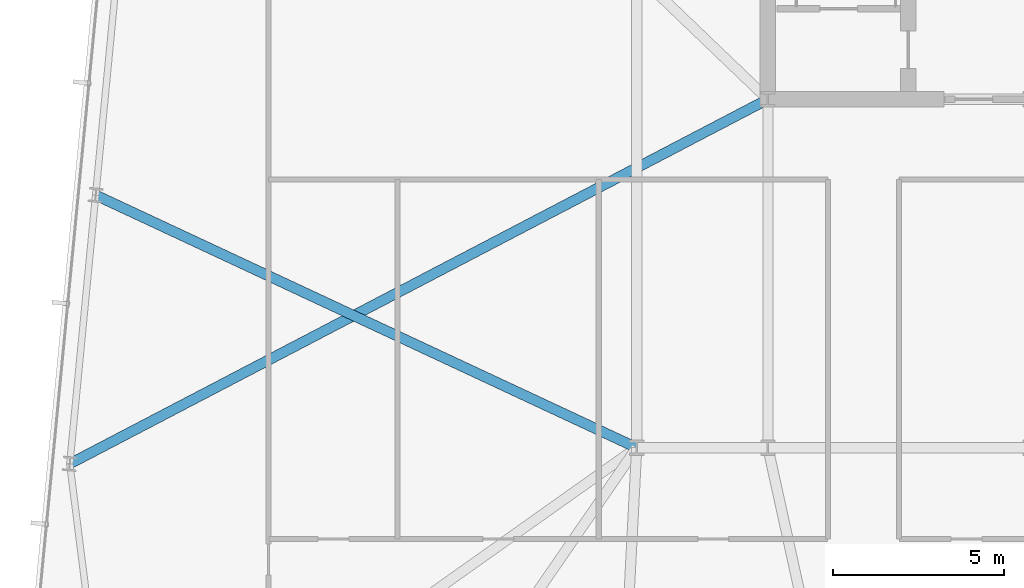
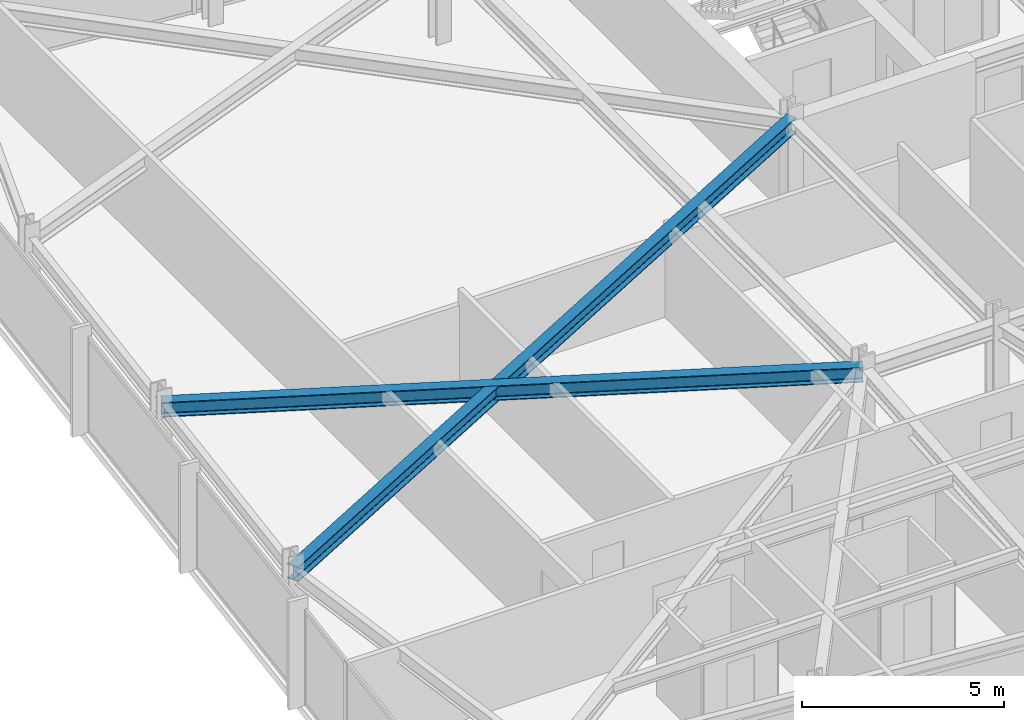
# One storey, part 9 of 37: 2 beams.
"""IFC4 building model written with IfcOpenShell, lengths in metres."""

from ifc_helpers import new_model, si_unit, direction, frame, origin, origin_2d, place, context, subcontext, project, spatial, i_section, extrude, material, material_profile, profile_set, type_object, element, save


model = new_model("IFC4")

# Units and contexts
model_context = context("Model", 3, precision=1e-05, world=origin(), true_north=direction((0.0, 1.0)))
body_context = subcontext(model_context, "Body", "Model", "MODEL_VIEW")
ifc_project = project(units=[si_unit("LENGTHUNIT", "METRE"), si_unit("AREAUNIT", "SQUARE_METRE"), si_unit("VOLUMEUNIT", "CUBIC_METRE"), si_unit("PLANEANGLEUNIT", "RADIAN"), si_unit("MASSUNIT", "GRAM", prefix="KILO")], contexts=[model_context])

# Site, building, storey
site_placement = place(None, origin())
site = spatial("IfcSite", under=ifc_project, at=site_placement, CompositionType="ELEMENT")
building_placement = place(site_placement, origin())
building = spatial("IfcBuilding", under=site, at=building_placement, Name="Yelkora Congress Tower", CompositionType="ELEMENT")
storey_placement = place(building_placement, frame((0.0, 0.0, 188.60009765625)))
storey = spatial("IfcBuildingStorey", under=building, at=storey_placement, Name="L52", CompositionType="ELEMENT", Elevation=188.60009765625)

# Beams
ifc_material = material(Name="Steel S355J2", Category="steel")
ifc_material_profile = material_profile(ifc_material, i_section(OverallWidth=0.300048828125, OverallDepth=0.449951171875, WebThickness=0.013916015625, FlangeThickness=0.02587890625, FilletRadius=0.027099609375, at=origin_2d()), Name="HEB 450")
ifc_profile_set = profile_set([ifc_material_profile], Name="Steel S355J2")
beam_type = type_object("IfcBeamType", Name="BM-GIRD-HEB450", PredefinedType="BEAM", material=ifc_profile_set)
beam_1_placement = place(storey_placement, frame((2.607421875, 24.730712890625, 2.65478515625), z_axis=(0.886430124978, 0.462862434781, 0.0), x_axis=(-0.462862434781, 0.886430124978, 0.0)))
element("IfcBeam", 1, at=beam_1_placement, inside=storey, type_object=beam_type, Name="L52 Primary Frame Girder W01", PredefinedType="BEAM", context=body_context, shape_type="SweptSolid", body=[
    extrude(i_section(OverallWidth=0.300048828125, OverallDepth=0.449951171875, WebThickness=0.013916015625, FlangeThickness=0.02587890625, FilletRadius=0.027099609375, at=origin_2d()), origin(), (0.0, 0.0, 1.0), 23.050537109375),
])
beam_2_placement = place(storey_placement, frame((3.364501953125, 32.594482421875, 2.65478515625), z_axis=(0.906081045456, -0.423104170466, 0.0), x_axis=(0.423104170466, 0.906081045456, 0.0)))
element("IfcBeam", 2, at=beam_2_placement, inside=storey, type_object=beam_type, Name="L52 Primary Frame Girder W02", PredefinedType="BEAM", context=body_context, shape_type="SweptSolid", body=[
    extrude(i_section(OverallWidth=0.300048828125, OverallDepth=0.449951171875, WebThickness=0.013916015625, FlangeThickness=0.02587890625, FilletRadius=0.027099609375, at=origin_2d()), origin(), (0.0, 0.0, 1.0), 17.476806640625),
])

save(model, "model.ifc")
